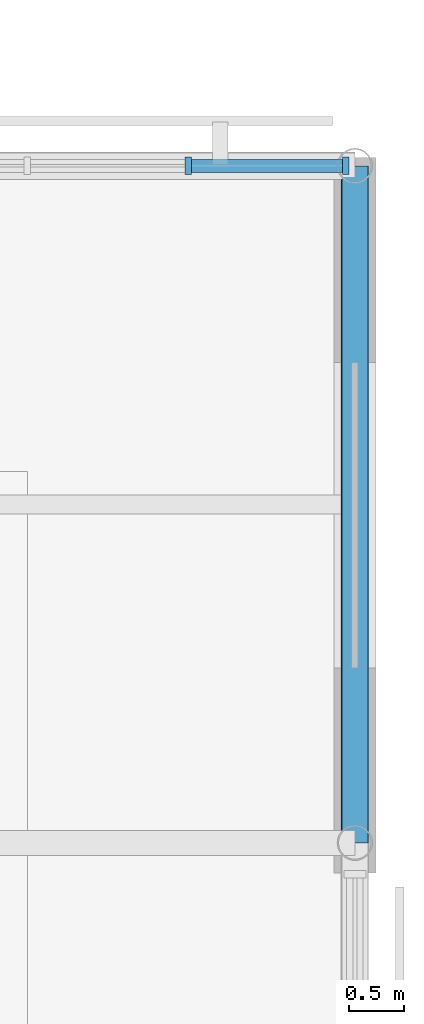
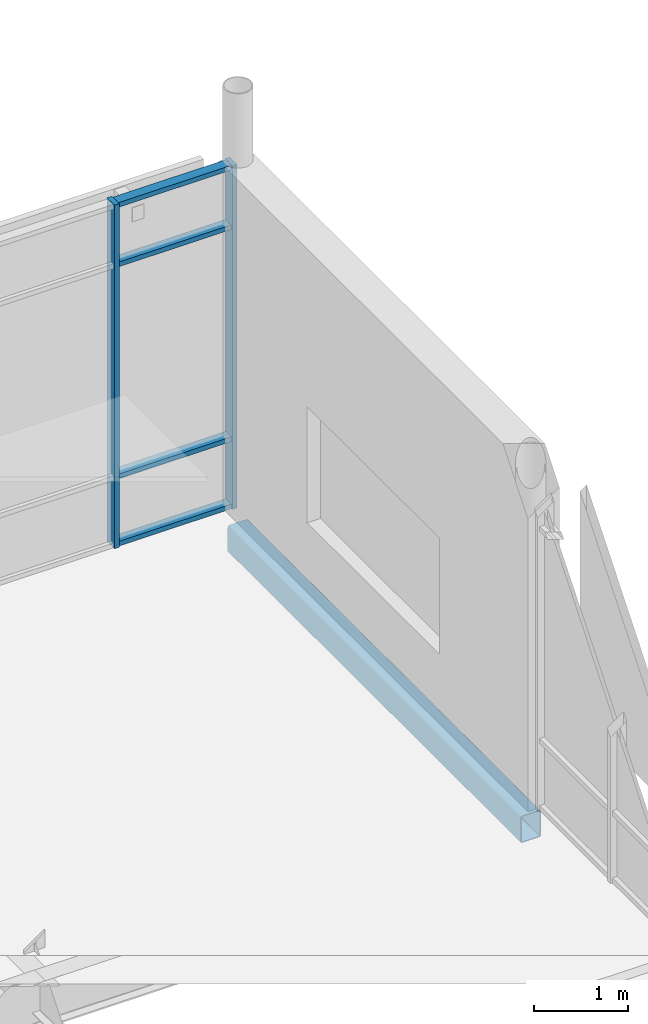
# One storey, part 52 of 105: 6 members, 1 beam, 1 element without a shape of its own.
"""IFC4 building model written with IfcOpenShell, lengths in metres."""

from ifc_helpers import new_model, si_unit, direction, frame, origin, origin_2d, place, context, subcontext, project, spatial, rectangle, hollow_rectangle, extrude, material, layer, layer_set, material_profile, profile_set, type_object, element, aggregate, save


model = new_model("IFC4")

# Units and contexts
model_context = context("Model", 3, precision=1e-05, world=origin(), true_north=direction((0.0, 1.0)))
body_context = subcontext(model_context, "Body", "Model", "MODEL_VIEW")
ifc_project = project(units=[si_unit("LENGTHUNIT", "METRE"), si_unit("AREAUNIT", "SQUARE_METRE"), si_unit("VOLUMEUNIT", "CUBIC_METRE"), si_unit("PLANEANGLEUNIT", "RADIAN"), si_unit("MASSUNIT", "GRAM", prefix="KILO")], contexts=[model_context])

# Site, building, storey
site_placement = place(None, origin())
site = spatial("IfcSite", under=ifc_project, at=site_placement, CompositionType="ELEMENT")
building_placement = place(site_placement, origin())
building = spatial("IfcBuilding", under=site, at=building_placement, Name="Mirzam Square Science Centre", CompositionType="ELEMENT")
storey_placement = place(building_placement, frame((0.0, 0.0, 5.39990234375)))
storey = spatial("IfcBuildingStorey", under=building, at=storey_placement, Name="L01", CompositionType="ELEMENT", Elevation=5.39990234375)

# Curtain wall, members
ifc_material_1 = material(Name="Anodised Aluminium and Low-E Solar Glass", Category="aluminium")
ifc_layer = layer(ifc_material_1, 0.159912109375)
ifc_layer_set = layer_set([ifc_layer], Name="CW-COURT-B")
curtain_wall_type = type_object("IfcCurtainWallType", Name="CW-COURT-B", PredefinedType="USERDEFINED", material=ifc_layer_set)
curtain_wall_placement = place(storey_placement, origin())
curtain_wall = element("IfcCurtainWall", 1, at=curtain_wall_placement, inside=storey, type_object=curtain_wall_type, Name="L01 unitised curtain wall 87", ObjectType="UNITISED CURTAIN WALL", PredefinedType="USERDEFINED")
ifc_material_2 = material(Name="Anodised Architectural Aluminium 6063-T6", Category="aluminium")
ifc_material_profile_1 = material_profile(ifc_material_2, rectangle(XDim=0.06005859375, YDim=0.159912109375, at=origin_2d()), Name="ALU-MULL-160x60x4")
ifc_profile_set_1 = profile_set([ifc_material_profile_1], Name="Anodised Architectural Aluminium 6063-T6")
member_type_1 = type_object("IfcMemberType", Name="CWM-160", PredefinedType="MULLION", material=ifc_profile_set_1)
member_1_placement = place(storey_placement, frame((161.9150390625, 86.800048828125, 0.0), z_axis=(0.0, 0.0, 1.0), x_axis=(-1.0, 0.0, 0.0)))
member_1 = element("IfcMember", 2, at=member_1_placement, type_object=member_type_1, Name="CW-04 mullion 1", PredefinedType="MULLION", context=body_context, shape_type="SweptSolid", body=[
    extrude(rectangle(XDim=0.06005859375, YDim=0.159912109375, at=origin_2d()), origin(), (0.0, 0.0, 1.0), 4.440185546875),
])
member_2_placement = place(storey_placement, frame((160.472412109375, 86.800048828125, 0.0), z_axis=(0.0, 0.0, 1.0), x_axis=(-1.0, 0.0, 0.0)))
member_2 = element("IfcMember", 3, at=member_2_placement, type_object=member_type_1, Name="CW-04 mullion 2", PredefinedType="MULLION", context=body_context, shape_type="SweptSolid", body=[
    extrude(rectangle(XDim=0.06005859375, YDim=0.159912109375, at=origin_2d()), origin(), (0.0, 0.0, 1.0), 4.440185546875),
])
ifc_material_profile_2 = material_profile(ifc_material_2, rectangle(XDim=0.1201171875, YDim=0.06005859375, at=origin_2d()), Name="ALU-TRAN-120x60x4")
ifc_profile_set_2 = profile_set([ifc_material_profile_2], Name="Anodised Architectural Aluminium 6063-T6")
member_type_2 = type_object("IfcMemberType", Name="CWT-120", PredefinedType="USERDEFINED", material=ifc_profile_set_2)
member_3_placement = place(storey_placement, frame((161.885009765625, 86.800048828125, 0.030029296875), z_axis=(-1.0, 0.0, 0.0), x_axis=(0.0, -1.0, 0.0)))
member_3 = element("IfcMember", 4, at=member_3_placement, type_object=member_type_2, Name="CW-04 transom 1.1", ObjectType="TRANSOM", PredefinedType="USERDEFINED", context=body_context, shape_type="SweptSolid", body=[
    extrude(rectangle(XDim=0.1201171875, YDim=0.06005859375, at=origin_2d()), origin(), (0.0, 0.0, 1.0), 1.382568359375),
])
member_4_placement = place(storey_placement, frame((161.885009765625, 86.800048828125, 0.900146484375), z_axis=(-1.0, 0.0, 0.0), x_axis=(0.0, -1.0, 0.0)))
member_4 = element("IfcMember", 5, at=member_4_placement, type_object=member_type_2, Name="CW-04 transom 1.2", ObjectType="TRANSOM", PredefinedType="USERDEFINED", context=body_context, shape_type="SweptSolid", body=[
    extrude(rectangle(XDim=0.1201171875, YDim=0.06005859375, at=origin_2d()), origin(), (0.0, 0.0, 1.0), 1.382568359375),
])
member_5_placement = place(storey_placement, frame((161.885009765625, 86.800048828125, 3.64013671875), z_axis=(-1.0, 0.0, 0.0), x_axis=(0.0, -1.0, 0.0)))
member_5 = element("IfcMember", 6, at=member_5_placement, type_object=member_type_2, Name="CW-04 transom 1.3", ObjectType="TRANSOM", PredefinedType="USERDEFINED", context=body_context, shape_type="SweptSolid", body=[
    extrude(rectangle(XDim=0.1201171875, YDim=0.06005859375, at=origin_2d()), origin(), (0.0, 0.0, 1.0), 1.382568359375),
])
member_6_placement = place(storey_placement, frame((161.885009765625, 86.800048828125, 4.41015625), z_axis=(-1.0, 0.0, 0.0), x_axis=(0.0, -1.0, 0.0)))
member_6 = element("IfcMember", 7, at=member_6_placement, type_object=member_type_2, Name="CW-04 transom 1.4", ObjectType="TRANSOM", PredefinedType="USERDEFINED", context=body_context, shape_type="SweptSolid", body=[
    extrude(rectangle(XDim=0.1201171875, YDim=0.06005859375, at=origin_2d()), origin(), (0.0, 0.0, 1.0), 1.382568359375),
])
aggregate(curtain_wall, [member_1, member_2, member_3, member_4, member_5, member_6])

# Beam
ifc_material_3 = material(Name="Steel S355", Category="steel")
ifc_material_profile_3 = material_profile(ifc_material_3, hollow_rectangle(XDim=0.25, YDim=0.35009765625, WallThickness=0.012451171875, InnerFilletRadius=0.012451171875, OuterFilletRadius=0.02490234375, at=origin_2d()), Name="350x250x12.5RHS")
ifc_profile_set_3 = profile_set([ifc_material_profile_3], Name="Steel S355")
beam_type = type_object("IfcBeamType", Name="SP-RHS350", PredefinedType="SPANDREL", material=ifc_profile_set_3)
beam_placement = place(storey_placement, frame((162.0, 80.60009765625, -0.4248046875), z_axis=(0.0, 1.0, 0.0), x_axis=(-1.0, 0.0, 0.0)))
element("IfcBeam", 8, at=beam_placement, inside=storey, type_object=beam_type, Name="L01 girder Y28-14", PredefinedType="SPANDREL", context=body_context, shape_type="SweptSolid", body=[
    extrude(hollow_rectangle(XDim=0.25, YDim=0.35009765625, WallThickness=0.012451171875, InnerFilletRadius=0.012451171875, OuterFilletRadius=0.02490234375, at=origin_2d()), origin(), (0.0, 0.0, 1.0), 6.199951171875),
])

save(model, "model.ifc")
